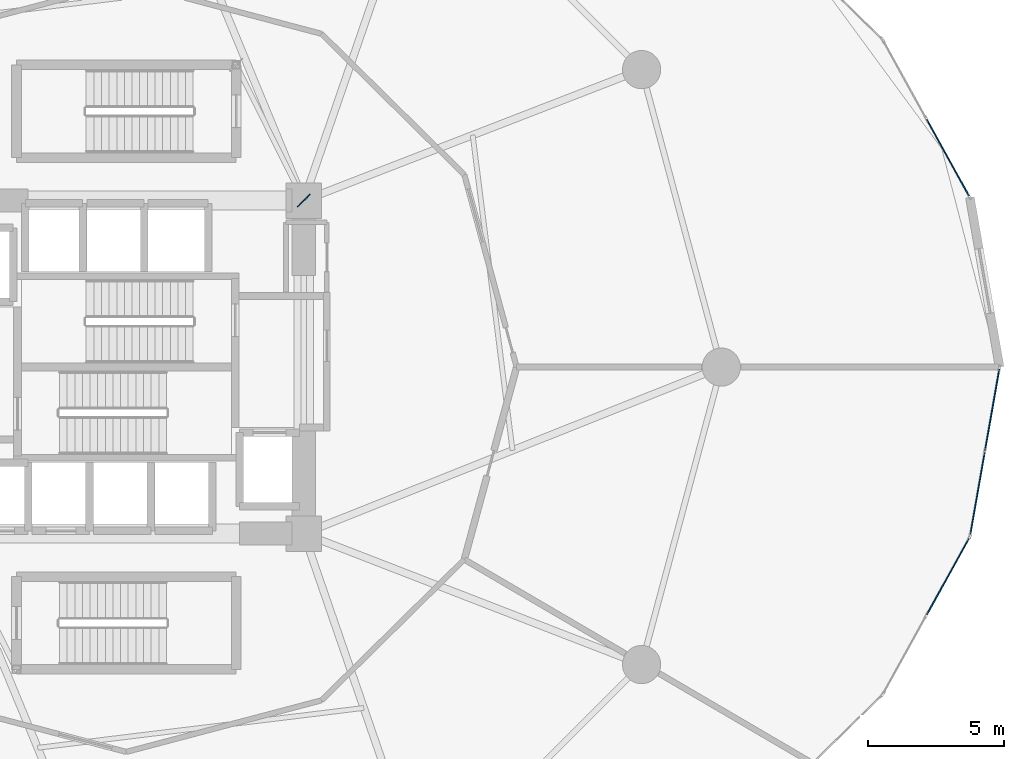
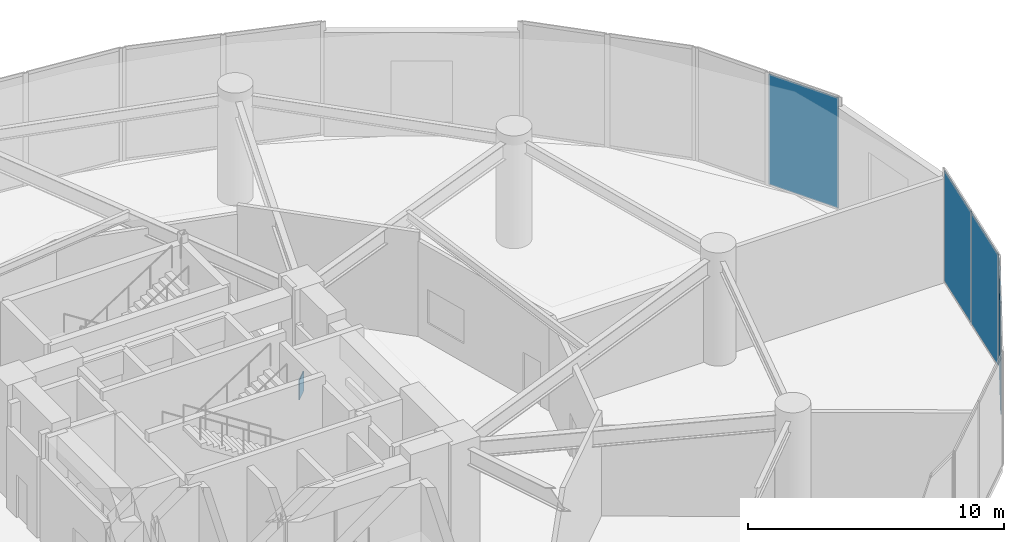
# One storey, part 21 of 29: 5 plates, 3 elements without a shape of their own.
"""IFC4 building model written with IfcOpenShell, lengths in metres."""

from ifc_helpers import new_model, si_unit, direction, frame, origin, origin_2d, place, context, subcontext, project, spatial, rectangle, extrude, source, transform, mapped, material, layer, layer_set, type_object, element, aggregate, save


model = new_model("IFC4")

# Units and contexts
model_context = context("Model", 3, precision=1e-05, world=origin(), true_north=direction((0.0, 1.0)))
body_context = subcontext(model_context, "Body", "Model", "MODEL_VIEW")
ifc_project = project(units=[si_unit("LENGTHUNIT", "METRE"), si_unit("AREAUNIT", "SQUARE_METRE"), si_unit("VOLUMEUNIT", "CUBIC_METRE"), si_unit("PLANEANGLEUNIT", "RADIAN"), si_unit("MASSUNIT", "GRAM", prefix="KILO")], contexts=[model_context])

# Site, building, storey
site_placement = place(None, origin())
site = spatial("IfcSite", under=ifc_project, at=site_placement, CompositionType="ELEMENT")
building_placement = place(site_placement, origin())
building = spatial("IfcBuilding", under=site, at=building_placement, Name="Solvirekh Grand Hotel", CompositionType="ELEMENT")
storey_placement = place(building_placement, frame((0.0, 0.0, 7.199951171875)))
storey = spatial("IfcBuildingStorey", under=building, at=storey_placement, Name="L01", CompositionType="ELEMENT", Elevation=7.199951171875)

# Plate
ifc_material_1 = material(Name="Steel S355", Category="steel")
ifc_layer_1 = layer(ifc_material_1, 0.0400390625)
ifc_layer_set_1 = layer_set([ifc_layer_1], Name="Steel S355")
plate_type_1 = type_object("IfcPlateType", Name="NodeCapPlate_40", PredefinedType="SHEET", material=ifc_layer_set_1)
plate_1_placement = place(storey_placement, frame((6.5, 6.10009765625, -0.22509765625), z_axis=(0.0, 0.0, 1.0), x_axis=(-0.707106781187, 0.707106781187, 0.0)))
element("IfcPlate", 1, at=plate_1_placement, inside=storey, type_object=plate_type_1, Name="L01 hollow-section node plate NP-L01-SG4A", PredefinedType="SHEET", context=body_context, shape_type="SweptSolid", body=[
    extrude(rectangle(XDim=0.0400390625, YDim=0.64990234375, at=origin_2d()), origin(), (0.0, 0.0, 1.0), 0.949951171875),
])

# Curtain wall, plate
ifc_material_2 = material(Name="Anodized Bronze Aluminium 6063-T6", Category="aluminium")
ifc_layer_2 = layer(ifc_material_2, 0.219970703125)
ifc_layer_set_2 = layer_set([ifc_layer_2], Name="Anodized Bronze Aluminium 6063-T6")
curtain_wall_type = type_object("IfcCurtainWallType", Name="CW_Sys1_PodiumBronzeUnitised", PredefinedType="NOTDEFINED", material=ifc_layer_set_2)
curtain_wall_1_placement = place(storey_placement, origin())
curtain_wall_1 = element("IfcCurtainWall", 2, at=curtain_wall_1_placement, inside=storey, type_object=curtain_wall_type, Name="L01 unitised bronze-glass curtain wall CW-L01-C02", PredefinedType="NOTDEFINED")
ifc_material_3 = material(Name="Low-E Tinted Bronze Laminated Glass", Category="aluminium")
ifc_layer_3 = layer(ifc_material_3, 0.0439453125)
ifc_layer_set_3 = layer_set([ifc_layer_3], Name="Low-E Tinted Bronze Laminated Glass")
plate_type_2 = type_object("IfcPlateType", Name="CWPanel_Podium_44", PredefinedType="CURTAIN_PANEL", material=ifc_layer_set_3)
shared_shape_1 = source(origin(), body_context, "Body", "SweptSolid", [
    extrude(rectangle(XDim=3.193603515625, YDim=0.0439453125, at=origin_2d()), origin(), (0.0, 0.0, 1.0), 5.27001953125),
])
plate_2_placement = place(storey_placement, frame((30.1015625, 7.67529296875, 0.06494140625), z_axis=(0.0, 0.0, 1.0), x_axis=(-0.48349707719, 0.875345975229, 0.0)))
plate_2 = element("IfcPlate", 3, at=plate_2_placement, type_object=plate_type_2, Name="U01 panel 1.1", PredefinedType="CURTAIN_PANEL", context=body_context, shape_type="MappedRepresentation", body=[
    mapped(shared_shape_1, transform((0.0, 0.0, 0.0), x_axis=(1.0, 0.0, 0.0), y_axis=(0.0, 1.0, 0.0), z_axis=(0.0, 0.0, 1.0), scale=1.0)),
])
aggregate(curtain_wall_1, [plate_2])

curtain_wall_2_placement = place(storey_placement, origin())
curtain_wall_2 = element("IfcCurtainWall", 4, at=curtain_wall_2_placement, inside=storey, type_object=curtain_wall_type, Name="L01 unitised bronze-glass curtain wall CW-L01-C23", PredefinedType="NOTDEFINED")
plate_3_placement = place(storey_placement, frame((30.1015625, -7.67529296875, 0.06494140625), z_axis=(0.0, 0.0, 1.0), x_axis=(0.48349707719, 0.875345975229, 0.0)))
plate_3 = element("IfcPlate", 5, at=plate_3_placement, type_object=plate_type_2, Name="U01 panel 2.1", PredefinedType="CURTAIN_PANEL", context=body_context, shape_type="MappedRepresentation", body=[
    mapped(shared_shape_1, transform((0.0, 0.0, 0.0), x_axis=(1.0, 0.0, 0.0), y_axis=(0.0, 1.0, 0.0), z_axis=(0.0, 0.0, 1.0), scale=1.0)),
])
aggregate(curtain_wall_2, [plate_3])

# Curtain wall, plates
curtain_wall_3_placement = place(storey_placement, origin())
curtain_wall_3 = element("IfcCurtainWall", 6, at=curtain_wall_3_placement, inside=storey, type_object=curtain_wall_type, Name="L01 unitised bronze-glass curtain wall CW-L01-C24", PredefinedType="NOTDEFINED")
shared_shape_2 = source(origin(), body_context, "Body", "SweptSolid", [
    extrude(rectangle(XDim=3.041015625, YDim=0.0439453125, at=origin_2d()), origin(), (0.0, 0.0, 1.0), 5.27001953125),
])
plate_4_placement = place(storey_placement, frame((31.185791015625, -4.640625, 0.06494140625), z_axis=(0.0, 0.0, 1.0), x_axis=(0.172826464248, 0.984952289837, 0.0)))
plate_4 = element("IfcPlate", 7, at=plate_4_placement, type_object=plate_type_2, Name="U01 panel 1.1", PredefinedType="CURTAIN_PANEL", context=body_context, shape_type="MappedRepresentation", body=[
    mapped(shared_shape_2, transform((0.0, 0.0, 0.0), x_axis=(1.0, 0.0, 0.0), y_axis=(0.0, 1.0, 0.0), z_axis=(0.0, 0.0, 1.0), scale=1.0)),
])
plate_5_placement = place(storey_placement, frame((31.724365234375, -1.571533203125, 0.06494140625), z_axis=(0.0, 0.0, 1.0), x_axis=(0.172826464248, 0.984952289837, 0.0)))
plate_5 = element("IfcPlate", 8, at=plate_5_placement, type_object=plate_type_2, Name="U01 panel 2.1", PredefinedType="CURTAIN_PANEL", context=body_context, shape_type="MappedRepresentation", body=[
    mapped(shared_shape_2, transform((0.0, 0.0, 0.0), x_axis=(1.0, 0.0, 0.0), y_axis=(0.0, 1.0, 0.0), z_axis=(0.0, 0.0, 1.0), scale=1.0)),
])
aggregate(curtain_wall_3, [plate_4, plate_5])

save(model, "model.ifc")
